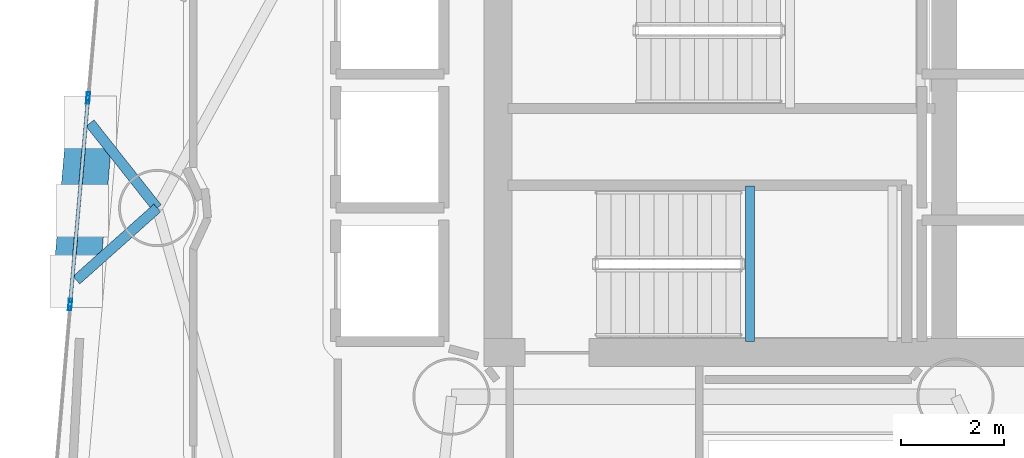
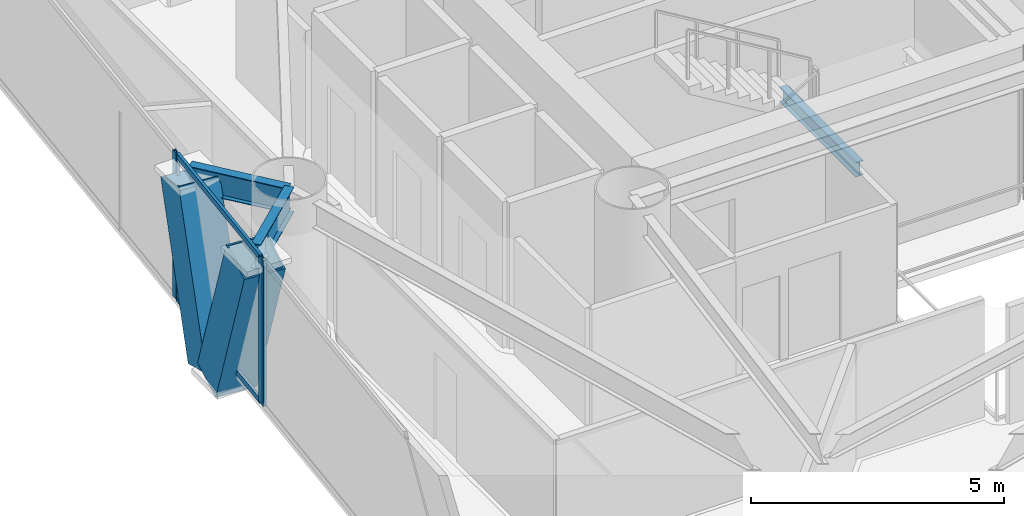
# One storey, part 6 of 19: 8 members, 3 beams, 3 elements without a shape of their own.
"""IFC4 building model written with IfcOpenShell, lengths in metres."""

from ifc_helpers import new_model, si_unit, direction, frame, origin, origin_2d, place, context, subcontext, project, spatial, hollow_rectangle, i_section, extrude, material, layer, layer_set, material_profile, profile_set, type_object, element, aggregate, save


model = new_model("IFC4")

# Units and contexts
model_context = context("Model", 3, precision=1e-05, world=origin(), true_north=direction((0.0, 1.0)))
body_context = subcontext(model_context, "Body", "Model", "MODEL_VIEW")
ifc_project = project(units=[si_unit("LENGTHUNIT", "METRE"), si_unit("AREAUNIT", "SQUARE_METRE"), si_unit("VOLUMEUNIT", "CUBIC_METRE"), si_unit("PLANEANGLEUNIT", "RADIAN"), si_unit("MASSUNIT", "GRAM", prefix="KILO")], contexts=[model_context])

# Site, building, storey
site_placement = place(None, origin())
site = spatial("IfcSite", under=ifc_project, at=site_placement, CompositionType="ELEMENT")
building_placement = place(site_placement, origin())
building = spatial("IfcBuilding", under=site, at=building_placement, Name="Qianvela Tower", CompositionType="ELEMENT")
storey_placement = place(building_placement, frame((0.0, 0.0, 123.699951171875)))
storey = spatial("IfcBuildingStorey", under=building, at=storey_placement, Name="L31", CompositionType="ELEMENT", Elevation=123.699951171875)

# Beams
ifc_material_1 = material(Name="Steel Q355B", Category="steel")
ifc_material_profile_1 = material_profile(ifc_material_1, i_section(OverallWidth=0.175048828125, OverallDepth=0.35009765625, WebThickness=0.007080078125, FlangeThickness=0.010986328125, at=origin_2d()), Name="HN350x175x7x11")
ifc_profile_set_1 = profile_set([ifc_material_profile_1], Name="Steel Q355B")
beam_type_1 = type_object("IfcBeamType", Name="BM-HN350-JOIST", PredefinedType="JOIST", material=ifc_profile_set_1)
beam_1_placement = place(storey_placement, frame((34.39990234375, 24.919921875, 1.47509765625), z_axis=(0.0, 1.0, 0.0), x_axis=(-1.0, 0.0, 0.0)))
element("IfcBeam", 1, at=beam_1_placement, inside=storey, type_object=beam_type_1, Name="L31 Stair ST-2 Landing Support Beam 1.1", PredefinedType="JOIST", context=body_context, shape_type="SweptSolid", body=[
    extrude(i_section(OverallWidth=0.175048828125, OverallDepth=0.35009765625, WebThickness=0.007080078125, FlangeThickness=0.010986328125, at=origin_2d()), origin(), (0.0, 0.0, 1.0), 3.02001953125),
])
ifc_material_2 = material(Name="Steel Q355B", Category="steel")
ifc_material_profile_2 = material_profile(ifc_material_2, i_section(OverallWidth=0.199951171875, OverallDepth=0.60009765625, WebThickness=0.010986328125, FlangeThickness=0.01708984375, at=origin_2d()), Name="HN600x200x11x17")
ifc_profile_set_2 = profile_set([ifc_material_profile_2], Name="Steel Q355B")
beam_type_2 = type_object("IfcBeamType", Name="BM-HN600-GIRD", PredefinedType="BEAM", material=ifc_profile_set_2)
beam_2_placement = place(storey_placement, frame((22.8779296875, 27.51611328125, 3.218017578125), z_axis=(-0.62037327012, 0.784306703861, 0.0), x_axis=(-0.784306703861, -0.62037327012, 0.0)))
element("IfcBeam", 2, at=beam_2_placement, inside=storey, type_object=beam_type_2, Name="L31 Mega-Brace Column Tie Bracket F2-1", PredefinedType="BEAM", context=body_context, shape_type="SweptSolid", body=[
    extrude(i_section(OverallWidth=0.199951171875, OverallDepth=0.60009765625, WebThickness=0.010986328125, FlangeThickness=0.01708984375, at=origin_2d()), origin(), (0.0, 0.0, 1.0), 2.105712890625),
])
beam_3_placement = place(storey_placement, frame((22.8779296875, 27.51611328125, 3.218017578125), z_axis=(-0.746135099092, -0.665794573351, 0.0), x_axis=(0.665794573351, -0.746135099092, 0.0)))
element("IfcBeam", 3, at=beam_3_placement, inside=storey, type_object=beam_type_2, Name="L31 Mega-Brace Column Tie Bracket F2-2", PredefinedType="BEAM", context=body_context, shape_type="SweptSolid", body=[
    extrude(i_section(OverallWidth=0.199951171875, OverallDepth=0.60009765625, WebThickness=0.010986328125, FlangeThickness=0.01708984375, at=origin_2d()), origin(), (0.0, 0.0, 1.0), 2.10595703125),
])

# Curtain wall, members
ifc_material_3 = material(Name="Anodised Architectural Aluminium and Insulated Spandrel Panel", Category="aluminium")
ifc_layer_1 = layer(ifc_material_3, 0.179931640625)
ifc_layer_set_1 = layer_set([ifc_layer_1], Name="Anodised Architectural Aluminium and Insulated Spandrel Panel")
curtain_wall_type_1 = type_object("IfcCurtainWallType", Name="CW-BRACEBAY", PredefinedType="USERDEFINED", material=ifc_layer_set_1)
curtain_wall_1_placement = place(storey_placement, origin())
curtain_wall_1 = element("IfcCurtainWall", 4, at=curtain_wall_1_placement, inside=storey, type_object=curtain_wall_type_1, Name="L31 CW-BRACEBAY Curtain Wall 04B", ObjectType="CURTAIN_WALL_SYSTEM", PredefinedType="USERDEFINED")
ifc_material_4 = material(Name="Anodised Architectural Aluminium 6063-T6", Category="aluminium")
ifc_material_profile_3 = material_profile(ifc_material_4, hollow_rectangle(XDim=0.06494140625, YDim=0.159912109375, WallThickness=0.0048828125, at=origin_2d()), Name="ALU-MULL-65x160")
ifc_profile_set_3 = profile_set([ifc_material_profile_3], Name="Anodised Architectural Aluminium 6063-T6")
member_type_1 = type_object("IfcMemberType", Name="CW-BRACEBAY-MULL", PredefinedType="MULLION", material=ifc_profile_set_3)
member_1_placement = place(storey_placement, frame((21.531005859375, 29.62353515625, 0.0), z_axis=(0.0, 0.0, 1.0), x_axis=(0.996253891213, -0.086476495323, 0.0)))
member_1 = element("IfcMember", 5, at=member_1_placement, type_object=member_type_1, Name="CW-9 mullion 1", PredefinedType="MULLION", context=body_context, shape_type="SweptSolid", body=[
    extrude(hollow_rectangle(XDim=0.06494140625, YDim=0.159912109375, WallThickness=0.0048828125, at=origin_2d()), origin(), (0.0, 0.0, 1.0), 3.52001953125),
])
member_2_placement = place(storey_placement, frame((21.18798828125, 25.673583984375, 0.0), z_axis=(0.0, 0.0, 1.0), x_axis=(0.996253891213, -0.086476495323, 0.0)))
member_2 = element("IfcMember", 6, at=member_2_placement, type_object=member_type_1, Name="CW-9 mullion 2", PredefinedType="MULLION", context=body_context, shape_type="SweptSolid", body=[
    extrude(hollow_rectangle(XDim=0.06494140625, YDim=0.159912109375, WallThickness=0.0048828125, at=origin_2d()), origin(), (0.0, 0.0, 1.0), 3.52001953125),
])
ifc_material_5 = material(Name="Anodised Architectural Aluminium 6063-T6", Category="aluminium")
ifc_material_profile_4 = material_profile(ifc_material_5, hollow_rectangle(XDim=0.06494140625, YDim=0.1298828125, WallThickness=0.00439453125, at=origin_2d()), Name="ALU-TRAN-65x130")
ifc_profile_set_4 = profile_set([ifc_material_profile_4], Name="Anodised Architectural Aluminium 6063-T6")
member_type_2 = type_object("IfcMemberType", Name="CW-BRACEBAY-TRAN", PredefinedType="USERDEFINED", material=ifc_profile_set_4)
member_3_placement = place(storey_placement, frame((21.528076171875, 29.59130859375, 0.032470703125), z_axis=(-0.086448631065, -0.996256309484, 0.0), x_axis=(0.996256309484, -0.086448631065, 0.0)))
member_3 = element("IfcMember", 7, at=member_3_placement, type_object=member_type_2, Name="CW-9 transom 1.1", ObjectType="TRANSOM", PredefinedType="USERDEFINED", context=body_context, shape_type="SweptSolid", body=[
    extrude(hollow_rectangle(XDim=0.06494140625, YDim=0.1298828125, WallThickness=0.00439453125, at=origin_2d()), origin(), (0.0, 0.0, 1.0), 3.900146484375),
])
member_4_placement = place(storey_placement, frame((21.528076171875, 29.59130859375, 3.487548828125), z_axis=(-0.086448631065, -0.996256309484, 0.0), x_axis=(0.996256309484, -0.086448631065, 0.0)))
member_4 = element("IfcMember", 8, at=member_4_placement, type_object=member_type_2, Name="CW-9 transom 1.2", ObjectType="TRANSOM", PredefinedType="USERDEFINED", context=body_context, shape_type="SweptSolid", body=[
    extrude(hollow_rectangle(XDim=0.06494140625, YDim=0.1298828125, WallThickness=0.00439453125, at=origin_2d()), origin(), (0.0, 0.0, 1.0), 3.900146484375),
])
aggregate(curtain_wall_1, [member_1, member_2, member_3, member_4])

# Curtain wall, member
ifc_material_6 = material(Name="Anodised Architectural Aluminium and Low-E Glass", Category="aluminium")
ifc_layer_2 = layer(ifc_material_6, 0.169921875)
ifc_layer_set_2 = layer_set([ifc_layer_2], Name="Anodised Architectural Aluminium and Low-E Glass")
curtain_wall_type_2 = type_object("IfcCurtainWallType", Name="CW-COLIV-Z34", PredefinedType="USERDEFINED", material=ifc_layer_set_2)
curtain_wall_2_placement = place(storey_placement, origin())
curtain_wall_2 = element("IfcCurtainWall", 9, at=curtain_wall_2_placement, inside=storey, type_object=curtain_wall_type_2, Name="L31 CW-COLIV-Z34 Curtain Wall 04A", ObjectType="CURTAIN_WALL_SYSTEM", PredefinedType="USERDEFINED")
ifc_material_7 = material(Name="Anodised Architectural Aluminium 6063-T6", Category="aluminium")
ifc_material_profile_5 = material_profile(ifc_material_7, hollow_rectangle(XDim=0.06494140625, YDim=0.159912109375, WallThickness=0.0048828125, at=origin_2d()), Name="ALU-MULL-65x160")
ifc_profile_set_5 = profile_set([ifc_material_profile_5], Name="Anodised Architectural Aluminium 6063-T6")
member_type_3 = type_object("IfcMemberType", Name="CW-COLIV-Z34-MULL", PredefinedType="MULLION", material=ifc_profile_set_5)
member_5_placement = place(storey_placement, frame((21.53662109375, 29.6884765625, 0.0), z_axis=(0.0, 0.0, 1.0), x_axis=(0.996255436991, -0.086458685307, 0.0)))
member_5 = element("IfcMember", 10, at=member_5_placement, type_object=member_type_3, Name="CW-4 mullion 2", PredefinedType="MULLION", context=body_context, shape_type="SweptSolid", body=[
    extrude(hollow_rectangle(XDim=0.06494140625, YDim=0.159912109375, WallThickness=0.0048828125, at=origin_2d()), origin(), (0.0, 0.0, 1.0), 3.52001953125),
])
aggregate(curtain_wall_2, [member_5])

curtain_wall_3_placement = place(storey_placement, origin())
curtain_wall_3 = element("IfcCurtainWall", 11, at=curtain_wall_3_placement, inside=storey, type_object=curtain_wall_type_2, Name="L31 CW-COLIV-Z34 Curtain Wall 04C", ObjectType="CURTAIN_WALL_SYSTEM", PredefinedType="USERDEFINED")
member_6_placement = place(storey_placement, frame((21.182373046875, 25.608642578125, 0.0), z_axis=(0.0, 0.0, 1.0), x_axis=(0.996255343657, -0.086459760786, 0.0)))
member_6 = element("IfcMember", 12, at=member_6_placement, type_object=member_type_3, Name="CW-4 mullion 1", PredefinedType="MULLION", context=body_context, shape_type="SweptSolid", body=[
    extrude(hollow_rectangle(XDim=0.06494140625, YDim=0.159912109375, WallThickness=0.0048828125, at=origin_2d()), origin(), (0.0, 0.0, 1.0), 3.52001953125),
])
aggregate(curtain_wall_3, [member_6])

# Members
ifc_material_8 = material(Name="Steel Q420GJC", Category="steel")
ifc_material_profile_6 = material_profile(ifc_material_8, hollow_rectangle(XDim=0.89990234375, YDim=0.89990234375, WallThickness=0.035888671875, at=origin_2d()), Name="MBOX-900x900x36")
ifc_profile_set_6 = profile_set([ifc_material_profile_6], Name="Steel Q420GJC")
member_type_4 = type_object("IfcMemberType", Name="MBR-MBRACE-900", PredefinedType="BRACE", material=ifc_profile_set_6)
member_7_placement = place(storey_placement, frame((21.460205078125, 27.885009765625, -0.48193359375), z_axis=(0.028417615257, 0.327425768769, 0.944449471962), x_axis=(-0.996254805025, 0.08646596709, 0.0)))
element("IfcMember", 13, at=member_7_placement, inside=storey, type_object=member_type_4, Name="L31 Tier 5 Exterior Mega-Brace F2A", PredefinedType="BRACE", context=body_context, shape_type="SweptSolid", body=[
    extrude(hollow_rectangle(XDim=0.89990234375, YDim=0.89990234375, WallThickness=0.035888671875, at=origin_2d()), origin(), (0.0, 0.0, 1.0), 3.91748046875),
])
member_8_placement = place(storey_placement, frame((21.422119140625, 27.44677734375, -0.48193359375), z_axis=(-0.029351241413, -0.338749316862, 0.940418739155), x_axis=(0.996267248162, -0.086322478179, 0.0)))
element("IfcMember", 14, at=member_8_placement, inside=storey, type_object=member_type_4, Name="L31 Tier 5 Exterior Mega-Brace F2B", PredefinedType="BRACE", context=body_context, shape_type="SweptSolid", body=[
    extrude(hollow_rectangle(XDim=0.89990234375, YDim=0.89990234375, WallThickness=0.035888671875, at=origin_2d()), origin(), (0.0, 0.0, 1.0), 3.934326171875),
])

save(model, "model.ifc")
